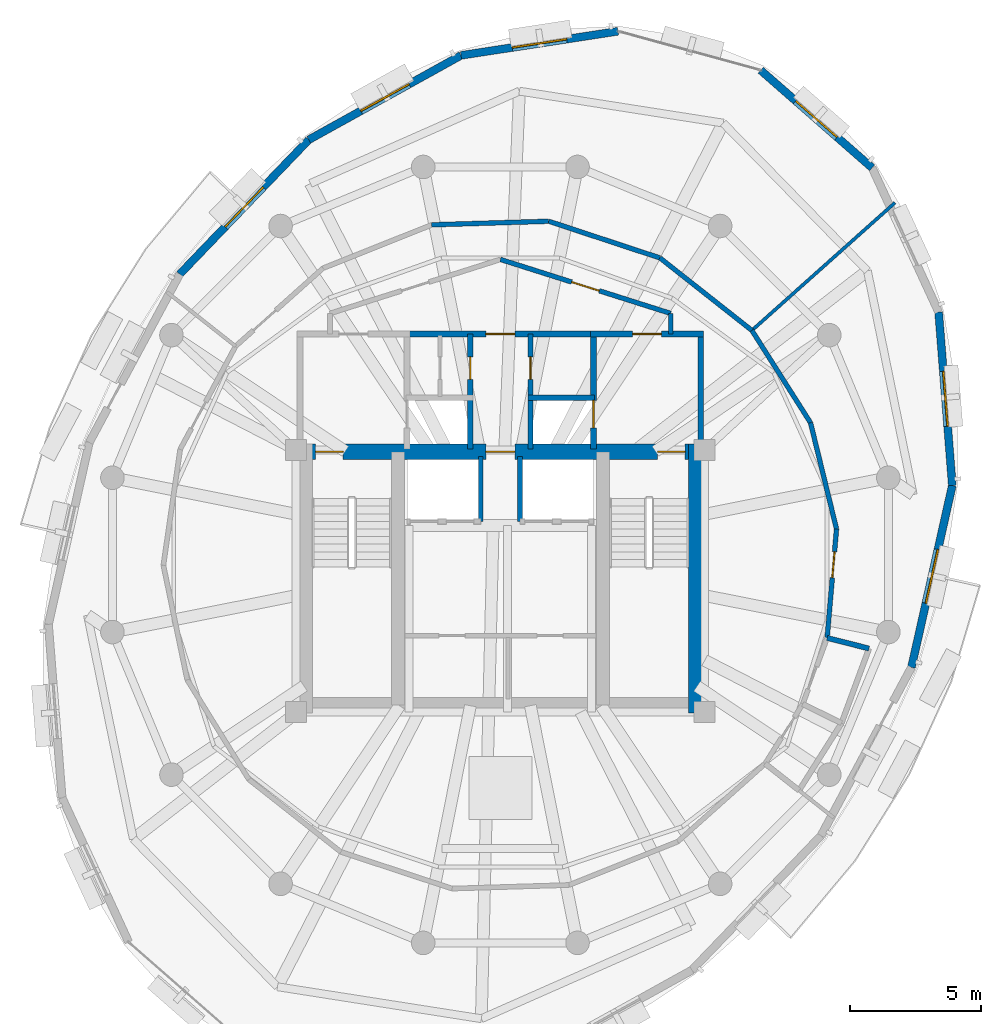
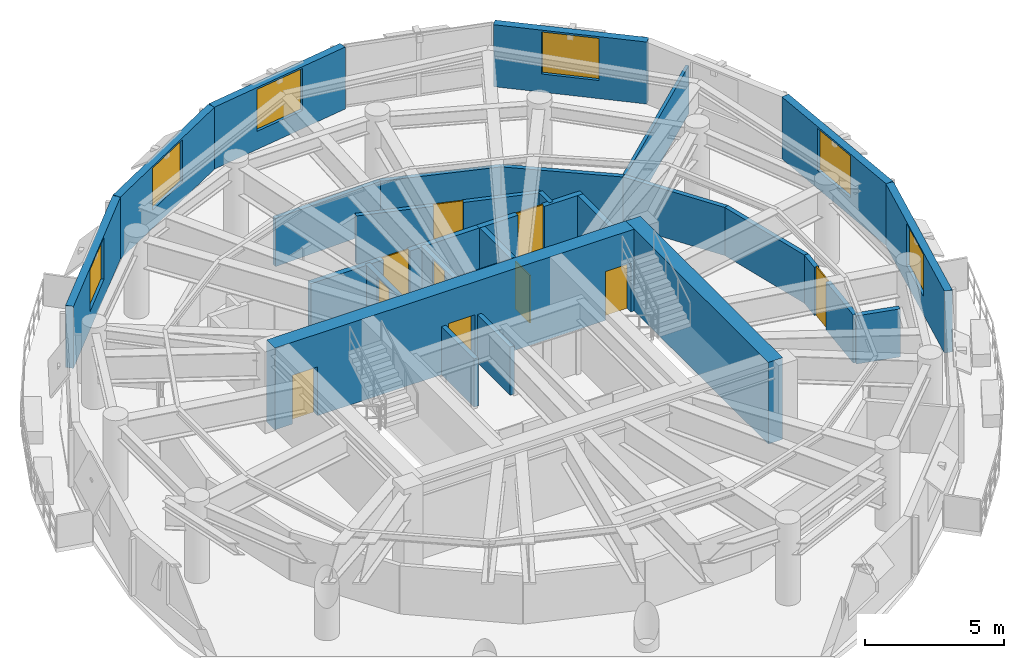
# One storey, part 8 of 11: 27 walls, 10 doors, 6 windows, 16 openings.
"""IFC4 building model written with IfcOpenShell, lengths in metres."""

import ifcopenshell
import ifcopenshell.guid

model = None  # the IFC model being written
_history = None  # IfcOwnerHistory: only IFC2X3 demands one
_inside = {}  # id of a spatial element -> (the spatial element, [elements in it])
_under = {}  # id of a project, library or spatial element -> (it, [spatial elements below it])
_declared = {}  # id of a project -> (the project, [libraries it declares])
_typed = {}  # id of a type object -> (the type object, [elements of that type])
_made_of = {}  # id of a material, layer set ... -> (it, [elements and type objects made of it])


def new_model(schema):
    """Start an empty IFC model of exactly this schema.

    Asked for "IFC4X3", IfcOpenShell would pick the latest addendum, in which some entities
    have other attributes; the version numbers below select the first issue.
    IFC2X3 requires an IfcOwnerHistory on every rooted entity: one is made here for all.
    """
    global model, _history
    if schema == "IFC4X3":
        model = ifcopenshell.file(schema_version=(4, 3, 0, 0))
    else:
        model = ifcopenshell.file(schema=schema)
    _inside.clear()
    _under.clear()
    _declared.clear()
    _typed.clear()
    _made_of.clear()
    _history = None
    if model.schema == "IFC2X3":
        org = make("IfcOrganization", Name="unknown")
        user = make(
            "IfcPersonAndOrganization",
            ThePerson=make("IfcPerson", FamilyName="unknown"),
            TheOrganization=org,
        )
        app = make(
            "IfcApplication",
            ApplicationDeveloper=org,
            Version="unknown",
            ApplicationFullName="unknown",
            ApplicationIdentifier="unknown",
        )
        _history = make(
            "IfcOwnerHistory",
            OwningUser=user,
            OwningApplication=app,
            ChangeAction="ADDED",
            CreationDate=0,
        )
    return model


def make(cls, **values):
    """One entity of the class cls with the attributes given. An attribute that is None is left unset."""
    return model.create_entity(
        cls, **{name: value for name, value in values.items() if value is not None}
    )


def rooted(cls, **values):
    """An entity with a GlobalId (a new one), such as an element, a storey or a relation."""
    return make(cls, GlobalId=ifcopenshell.guid.new(), OwnerHistory=_history, **values)


def si_unit(unit_type, name, prefix=None):
    """IfcSIUnit, for example si_unit("LENGTHUNIT", "METRE", prefix="MILLI")."""
    return make("IfcSIUnit", UnitType=unit_type, Prefix=prefix, Name=name)


def assignment(units):
    """IfcUnitAssignment: the units of a project."""
    return None if units is None else make("IfcUnitAssignment", Units=units)


def point(xyz):
    """IfcCartesianPoint."""
    return None if xyz is None else make("IfcCartesianPoint", Coordinates=xyz)


def direction(xyz):
    """IfcDirection."""
    return None if xyz is None else make("IfcDirection", DirectionRatios=xyz)


def frame(location, z_axis=None, x_axis=None):
    """IfcAxis2Placement3D, a coordinate frame: its origin and axes. An axis left out is left unset."""
    return make(
        "IfcAxis2Placement3D",
        Location=point(location),
        Axis=direction(z_axis),
        RefDirection=direction(x_axis),
    )


def frame_2d(location, x_axis=None):
    """IfcAxis2Placement2D, a coordinate frame in the plane: its origin and x axis."""
    return make(
        "IfcAxis2Placement2D", Location=point(location), RefDirection=direction(x_axis)
    )


def origin():
    """The frame at (0, 0, 0) with its axes left unset."""
    return frame((0.0, 0.0, 0.0))


def place(relative_to, where):
    """IfcLocalPlacement: puts the frame where relative to a parent placement (None: the world)."""
    return make(
        "IfcLocalPlacement", PlacementRelTo=relative_to, RelativePlacement=where
    )


def context(
    kind, dimensions, precision=None, world=None, true_north=None, identifier=None
):
    """IfcGeometricRepresentationContext, for example the 3D "Model" context."""
    return make(
        "IfcGeometricRepresentationContext",
        ContextIdentifier=identifier,
        ContextType=kind,
        CoordinateSpaceDimension=dimensions,
        Precision=precision,
        WorldCoordinateSystem=world,
        TrueNorth=true_north,
    )


def subcontext(parent, identifier, kind, view, scale=None):
    """IfcGeometricRepresentationSubContext, for example "Body" below "Model"."""
    return make(
        "IfcGeometricRepresentationSubContext",
        ContextIdentifier=identifier,
        ContextType=kind,
        ParentContext=parent,
        TargetScale=scale,
        TargetView=view,
    )


def project(units=None, contexts=None):
    """IfcProject with its units and contexts."""
    return rooted(
        "IfcProject",
        Name="project",
        RepresentationContexts=contexts,
        UnitsInContext=assignment(units),
    )


def spatial(cls, under=None, at=None, **own):
    """A site, building, storey or space (cls), placed at a placement, below another one or the project."""
    s = rooted(cls, ObjectPlacement=at, **own)
    if under is not None:
        _under.setdefault(under.id(), (under, []))[1].append(s)
    return s


def profile(cls, at=None, kind="AREA", **sizes):
    """A parametric profile (cls). Its sizes go by their IFC names, for example OverallWidth=200.0."""
    return make(cls, ProfileType=kind, Position=at, **sizes)


def rectangle(**sizes):
    """IfcRectangleProfileDef."""
    return profile("IfcRectangleProfileDef", **sizes)


def extrude(swept, where, along, depth):
    """IfcExtrudedAreaSolid: the profile swept, set in the frame where, extruded along a direction by depth."""
    return make(
        "IfcExtrudedAreaSolid",
        SweptArea=swept,
        Position=where,
        ExtrudedDirection=direction(along),
        Depth=depth,
    )


def shape(context_of_items, identifier, shape_type, items):
    """IfcShapeRepresentation: the items that make up one representation, for example the "Body"."""
    return make(
        "IfcShapeRepresentation",
        ContextOfItems=context_of_items,
        RepresentationIdentifier=identifier,
        RepresentationType=shape_type,
        Items=items,
    )


def material(Name=None, Category=None):
    """IfcMaterial."""
    return make("IfcMaterial", Name=Name, Category=Category)


def layer(
    of_material, thickness, ventilated=None, Name=None, Category=None, Priority=None
):
    """IfcMaterialLayer: one layer of a wall or slab, of a material (None: an air gap)."""
    return make(
        "IfcMaterialLayer",
        Material=of_material,
        LayerThickness=thickness,
        IsVentilated=ventilated,
        Name=Name,
        Category=Category,
        Priority=Priority,
    )


def layer_set(layers, Name=None):
    """IfcMaterialLayerSet."""
    return make("IfcMaterialLayerSet", MaterialLayers=layers, LayerSetName=Name)


def made_of(thing, what):
    """Note that an element or type object is made of a material, layer set ...; save() writes the relation."""
    if what is not None:
        _made_of.setdefault(what.id(), (what, []))[1].append(thing)
    return thing


def type_object(cls, material=None, **own):
    """A type object (cls), such as IfcWallType, which elements share."""
    return made_of(rooted(cls, **own), material)


def element(
    cls,
    number,
    at=None,
    inside=None,
    cuts=None,
    type_object=None,
    material=None,
    context=None,
    identifier="Body",
    shape_type=None,
    held_by="IfcProductDefinitionShape",
    body=None,
    shapes=None,
    **own,
):
    """One element of the class cls, such as IfcWall. Its Tag is "e" and its number.

    at: its placement. inside: the storey or other place that contains it. cuts: it is an
    opening in that element (IfcRelVoidsElement). A single representation is given by context,
    identifier, shape_type and body (its items); several are given by shapes. held_by: the class
    of the entity that holds the representations. save() writes the other relations.
    """
    e = rooted(cls, Tag="e%d" % number, ObjectPlacement=at, **own)
    if body is not None:
        shapes = [shape(context, identifier, shape_type, body)]
    if shapes is not None:
        e.Representation = make(held_by, Representations=shapes)
    if inside is not None:
        _inside.setdefault(inside.id(), (inside, []))[1].append(e)
    if cuts is not None:
        rooted(
            "IfcRelVoidsElement", RelatingBuildingElement=cuts, RelatedOpeningElement=e
        )
    if type_object is not None:
        _typed.setdefault(type_object.id(), (type_object, []))[1].append(e)
    return made_of(e, material)


def fill(opening, filler):
    """IfcRelFillsElement: the door or window that sits in an opening."""
    return rooted(
        "IfcRelFillsElement",
        RelatingOpeningElement=opening,
        RelatedBuildingElement=filler,
    )


def aggregate(whole, parts):
    """IfcRelAggregates: a whole, such as a stair, and the parts it consists of."""
    return rooted("IfcRelAggregates", RelatingObject=whole, RelatedObjects=parts)


def save(model, path):
    """Write the relations noted so far, then the file.

    IfcRelAggregates (storeys below a building ...), IfcRelContainedInSpatialStructure (elements
    in a storey), IfcRelDefinesByType, IfcRelAssociatesMaterial and IfcRelDeclares: one each for
    every whole, place, type object, material and project.
    """
    for whole, parts in _under.values():
        aggregate(whole, parts)
    for where, things in _inside.values():
        rooted(
            "IfcRelContainedInSpatialStructure",
            RelatedElements=things,
            RelatingStructure=where,
        )
    for kind, things in _typed.values():
        rooted("IfcRelDefinesByType", RelatedObjects=things, RelatingType=kind)
    for what, things in _made_of.values():
        rooted("IfcRelAssociatesMaterial", RelatedObjects=things, RelatingMaterial=what)
    for by, libraries in _declared.values():
        rooted("IfcRelDeclares", RelatingContext=by, RelatedDefinitions=libraries)
    model.write(path)


model = new_model("IFC4")

# Units and contexts
model_context = context("Model", 3, precision=1e-05, world=origin(), true_north=direction((0.0, 1.0)))
body_context = subcontext(model_context, "Body", "Model", "MODEL_VIEW")
ifc_project = project(units=[si_unit("LENGTHUNIT", "METRE"), si_unit("AREAUNIT", "SQUARE_METRE"), si_unit("VOLUMEUNIT", "CUBIC_METRE"), si_unit("PLANEANGLEUNIT", "RADIAN"), si_unit("MASSUNIT", "GRAM", prefix="KILO"), si_unit("THERMODYNAMICTEMPERATUREUNIT", "KELVIN"), si_unit("POWERUNIT", "WATT")], contexts=[model_context])

# Site, building, storey
site_placement = place(None, origin())
site = spatial("IfcSite", under=ifc_project, at=site_placement, CompositionType="ELEMENT")
building_placement = place(site_placement, origin())
building = spatial("IfcBuilding", under=site, at=building_placement, Name="Ocrelia Relay Tower", CompositionType="ELEMENT")
storey_placement = place(building_placement, frame((0.0, 0.0, 284.39990234375)))
storey = spatial("IfcBuildingStorey", under=building, at=storey_placement, Name="L71", CompositionType="ELEMENT", Elevation=284.39990234375)

# Wall, openings, doors
ifc_material_1 = material(Name="Concrete C50/60", Category="concrete")
ifc_layer_1 = layer(ifc_material_1, 0.60009765625, Name="Concrete C50/60")
ifc_layer_set_1 = layer_set([ifc_layer_1], Name="Concrete C50/60")
wall_type_1 = type_object("IfcWallType", Name="CW-CORE-600B", PredefinedType="SHEAR", material=ifc_layer_set_1)
wall_1_placement = place(storey_placement, frame((26.221923828125, 29.93798828125, 0.0), z_axis=(0.0, 0.0, 1.0), x_axis=(1.0, 0.0, 0.0)))
wall_1 = element("IfcWall", 1, at=wall_1_placement, inside=storey, type_object=wall_type_1, Name="L71 Core Shear Wall N", PredefinedType="SHEAR", context=body_context, shape_type="SweptSolid", body=[
    extrude(rectangle(XDim=15.566162109375, YDim=0.60009765625, at=frame_2d((7.783203125, 0.0))), origin(), (0.0, 0.0, 1.0), 3.60009765625),
])
opening_1_placement = place(wall_1_placement, frame((0.72802734375, 0.0, 0.0)))
opening_1 = element("IfcOpeningElement", 2, at=opening_1_placement, cuts=wall_1, Name="Opening D-FD90", PredefinedType="OPENING", context=body_context, shape_type="SweptSolid", body=[
    extrude(rectangle(XDim=1.050048828125, YDim=2.14990234375, at=frame_2d((0.52490234375, 1.074951171875))), frame((0.0, 0.31005859375, 0.0), z_axis=(0.0, -1.0, 0.0), x_axis=(1.0, 0.0, 0.0)), (0.0, 0.0, 1.0), 0.6201171875),
])
opening_2_placement = place(wall_1_placement, frame((13.778076171875, 0.0, 0.0)))
opening_2 = element("IfcOpeningElement", 3, at=opening_2_placement, cuts=wall_1, Name="Opening D-FD90", PredefinedType="OPENING", context=body_context, shape_type="SweptSolid", body=[
    extrude(rectangle(XDim=1.050048828125, YDim=2.14990234375, at=frame_2d((0.52490234375, 1.074951171875))), frame((0.0, 0.31005859375, 0.0), z_axis=(0.0, -1.0, 0.0), x_axis=(1.0, 0.0, 0.0)), (0.0, 0.0, 1.0), 0.6201171875),
])
opening_3_placement = place(wall_1_placement, frame((7.22802734375, 0.0, 0.0)))
opening_3 = element("IfcOpeningElement", 4, at=opening_3_placement, cuts=wall_1, Name="Opening D-FD60", PredefinedType="OPENING", context=body_context, shape_type="SweptSolid", body=[
    extrude(rectangle(XDim=1.10009765625, YDim=2.14990234375, at=frame_2d((0.550048828125, 1.074951171875))), frame((0.0, 0.31005859375, 0.0), z_axis=(0.0, -1.0, 0.0), x_axis=(1.0, 0.0, 0.0)), (0.0, 0.0, 1.0), 0.6201171875),
])
ifc_material_2 = material(Name="Timber-core 60-min acoustic fire door", Category="wood")
door_type_1 = type_object("IfcDoorType", Name="DR-LOBBY-FD60-1100", OperationType="NOTDEFINED", PredefinedType="DOOR", material=ifc_material_2)
door_1_placement = place(opening_3_placement, origin())
door_1 = element("IfcDoor", 5, at=door_1_placement, inside=storey, type_object=door_type_1, Name="L71 Core Lift Lobby North Fire Door", OperationType="SINGLE_SWING_LEFT", OverallHeight=2.14990234375, OverallWidth=1.10009765625, PredefinedType="DOOR", context=body_context, shape_type="SweptSolid", body=[
    extrude(rectangle(XDim=1.10009765625, YDim=2.14990234375, at=frame_2d((0.550048828125, 1.074951171875))), frame((0.0, 0.02490234375, 0.0), z_axis=(0.0, -1.0, 0.0), x_axis=(1.0, 0.0, 0.0)), (0.0, 0.0, 1.0), 0.050048828125),
])
fill(opening_3, door_1)
ifc_material_3 = material(Name="Steel S355 90-min fire door", Category="steel")
door_type_2 = type_object("IfcDoorType", Name="DR-STAIR-FD90-1050", OperationType="NOTDEFINED", PredefinedType="DOOR", material=ifc_material_3)
door_2_placement = place(opening_1_placement, origin())
door_2 = element("IfcDoor", 6, at=door_2_placement, inside=storey, type_object=door_type_2, Name="L71 Stair ST1 Fire Door", OperationType="SINGLE_SWING_LEFT", OverallHeight=2.14990234375, OverallWidth=1.050048828125, PredefinedType="DOOR", context=body_context, shape_type="SweptSolid", body=[
    extrude(rectangle(XDim=1.050048828125, YDim=2.14990234375, at=frame_2d((0.52490234375, 1.074951171875))), frame((0.0, 0.02490234375, 0.0), z_axis=(0.0, -1.0, 0.0), x_axis=(1.0, 0.0, 0.0)), (0.0, 0.0, 1.0), 0.050048828125),
])
fill(opening_1, door_2)
door_3_placement = place(opening_2_placement, origin())
door_3 = element("IfcDoor", 7, at=door_3_placement, inside=storey, type_object=door_type_2, Name="L71 Stair ST2 Fire Door", OperationType="SINGLE_SWING_RIGHT", OverallHeight=2.14990234375, OverallWidth=1.050048828125, PredefinedType="DOOR", context=body_context, shape_type="SweptSolid", body=[
    extrude(rectangle(XDim=1.050048828125, YDim=2.14990234375, at=frame_2d((0.52490234375, 1.074951171875))), frame((0.0, 0.02490234375, 0.0), z_axis=(0.0, -1.0, 0.0), x_axis=(1.0, 0.0, 0.0)), (0.0, 0.0, 1.0), 0.050048828125),
])
fill(opening_2, door_3)

# Walls
wall_2_placement = place(storey_placement, frame((41.488037109375, 19.9619140625, 0.0), z_axis=(0.0, 0.0, 1.0), x_axis=(0.0, 1.0, 0.0)))
element("IfcWall", 8, at=wall_2_placement, inside=storey, type_object=wall_type_1, Name="L71 Core Shear Wall E", PredefinedType="SHEAR", context=body_context, shape_type="SweptSolid", body=[
    extrude(rectangle(XDim=10.276123046875, YDim=0.60009765625, at=frame_2d((5.13818359375, 0.0))), origin(), (0.0, 0.0, 1.0), 3.60009765625),
])
ifc_material_4 = material(Name="Gypsum Fireboard Partition EI60", Category="gypsum")
ifc_layer_2 = layer(ifc_material_4, 0.179931640625, Name="Gypsum Fireboard Partition EI60")
ifc_layer_set_2 = layer_set([ifc_layer_2], Name="Gypsum Fireboard Partition EI60")
wall_type_2 = type_object("IfcWallType", Name="W-CORR-EI60-180", PredefinedType="PARTITIONING", material=ifc_layer_set_2)
wall_3_placement = place(storey_placement, frame((40.5, 35.218994140625, 0.0), z_axis=(0.0, 0.0, 1.0), x_axis=(0.0, -1.0, 0.0)))
element("IfcWall", 9, at=wall_3_placement, inside=storey, type_object=wall_type_2, Name="L71 Smoke Lobby East Return", PredefinedType="PARTITIONING", context=body_context, shape_type="SweptSolid", body=[
    extrude(rectangle(XDim=0.7890625, YDim=0.179931640625, at=frame_2d((0.39453125, 0.0))), origin(), (0.0, 0.0, 1.0), 2.1201171875),
])

# Wall, opening, door
wall_4_placement = place(storey_placement, frame((34.0, 37.280029296875, 0.0), z_axis=(0.0, 0.0, 1.0), x_axis=(0.953228121756, -0.302251795518, 0.0)))
wall_4 = element("IfcWall", 10, at=wall_4_placement, inside=storey, type_object=wall_type_2, Name="L71 North Smoke Lobby E Screen Wall", PredefinedType="PARTITIONING", context=body_context, shape_type="SweptSolid", body=[
    extrude(rectangle(XDim=6.81884765625, YDim=0.179931640625, at=frame_2d((3.409423828125, 0.0))), origin(), (0.0, 0.0, 1.0), 2.1201171875),
])
opening_4_placement = place(wall_4_placement, frame((2.859619140625, 0.0, 0.0)))
opening_4 = element("IfcOpeningElement", 11, at=opening_4_placement, cuts=wall_4, Name="Opening D-FD60", PredefinedType="OPENING", context=body_context, shape_type="SweptSolid", body=[
    extrude(rectangle(XDim=1.10009765625, YDim=2.14990234375, at=frame_2d((0.550048828125, 1.074951171875))), frame((0.0, 0.10009765625, 0.0), z_axis=(0.0, -1.0, 0.0), x_axis=(1.0, 0.0, 0.0)), (0.0, 0.0, 1.0), 0.199951171875),
])
door_4_placement = place(opening_4_placement, origin())
door_4 = element("IfcDoor", 12, at=door_4_placement, inside=storey, type_object=door_type_1, Name="L71 North Smoke Lobby E Fire Door", OperationType="SINGLE_SWING_LEFT", OverallHeight=2.14990234375, OverallWidth=1.10009765625, PredefinedType="DOOR", context=body_context, shape_type="SweptSolid", body=[
    extrude(rectangle(XDim=1.10009765625, YDim=2.14990234375, at=frame_2d((0.550048828125, 1.074951171875))), frame((0.0, 0.02490234375, 0.0), z_axis=(0.0, -1.0, 0.0), x_axis=(1.0, 0.0, 0.0)), (0.0, 0.0, 1.0), 0.050048828125),
])
fill(opening_4, door_4)

wall_5_placement = place(storey_placement, frame((46.47412109375, 22.83203125, 0.0), z_axis=(0.0, 0.0, 1.0), x_axis=(0.085678152112, 0.99632286647, 0.0)))
wall_5 = element("IfcWall", 13, at=wall_5_placement, inside=storey, type_object=wall_type_2, Name="L71 Executive Boardroom Corridor Partition 1", PredefinedType="PARTITIONING", context=body_context, shape_type="SweptSolid", body=[
    extrude(rectangle(XDim=4.174560546875, YDim=0.179931640625, at=frame_2d((2.08740234375, 0.0))), origin(), (0.0, 0.0, 1.0), 2.1201171875),
])
opening_5_placement = place(wall_5_placement, frame((2.305908203125, 0.0, 0.0)))
opening_5 = element("IfcOpeningElement", 14, at=opening_5_placement, cuts=wall_5, Name="Opening D-RM100", PredefinedType="OPENING", context=body_context, shape_type="SweptSolid", body=[
    extrude(rectangle(XDim=1.0, YDim=2.14990234375, at=frame_2d((0.5, 1.074951171875))), frame((0.0, 0.10009765625, 0.0), z_axis=(0.0, -1.0, 0.0), x_axis=(1.0, 0.0, 0.0)), (0.0, 0.0, 1.0), 0.199951171875),
])
ifc_material_5 = material(Name="Acoustic oak veneer fire door", Category="wood")
door_type_3 = type_object("IfcDoorType", Name="DR-ROOM-FD60-1000", OperationType="NOTDEFINED", PredefinedType="DOOR", material=ifc_material_5)
door_5_placement = place(opening_5_placement, origin())
door_5 = element("IfcDoor", 15, at=door_5_placement, inside=storey, type_object=door_type_3, Name="L71 Executive Boardroom Entrance Door", OperationType="SINGLE_SWING_RIGHT", OverallHeight=2.14990234375, OverallWidth=1.0, PredefinedType="DOOR", context=body_context, shape_type="SweptSolid", body=[
    extrude(rectangle(XDim=1.0, YDim=2.14990234375, at=frame_2d((0.5, 1.074951171875))), frame((0.0, 0.02490234375, 0.0), z_axis=(0.0, -1.0, 0.0), x_axis=(1.0, 0.0, 0.0)), (0.0, 0.0, 1.0), 0.050048828125),
])
fill(opening_5, door_5)

# Walls
for number, where, z_axis, x_axis, name in (
    (16, (46.831787109375, 26.9912109375, 0.0), (0.0, 0.0, 1.0), (-0.237688555134, 0.971341418224, 0.0), "L71 Executive Boardroom Corridor Partition 2"),
    (17, (45.839599609375, 31.0458984375, 0.0), (0.0, 0.0, 1.0), (-0.53607297366, 0.844171645408, 0.0), "L71 Executive Boardroom Corridor Partition 3"),
):
    element("IfcWall", number, at=place(storey_placement, frame(where, z_axis=z_axis, x_axis=x_axis)), inside=storey, type_object=wall_type_2, Name=name, PredefinedType="PARTITIONING", context=body_context, shape_type="SweptSolid", body=[
        extrude(rectangle(XDim=4.17431640625, YDim=0.179931640625, at=frame_2d((2.087158203125, 0.0))), origin(), (0.0, 0.0, 1.0), 2.1201171875),
    ])
wall_6_placement = place(storey_placement, frame((43.601806640625, 34.56982421875, 0.0), z_axis=(0.0, 0.0, 1.0), x_axis=(-0.785308997731, 0.61910401233, 0.0)))
element("IfcWall", 18, at=wall_6_placement, inside=storey, type_object=wall_type_2, Name="L71 Presidential Conference Hall Corridor Partition 1", PredefinedType="PARTITIONING", context=body_context, shape_type="SweptSolid", body=[
    extrude(rectangle(XDim=4.469970703125, YDim=0.179931640625, at=frame_2d((2.23486328125, 0.0))), origin(), (0.0, 0.0, 1.0), 2.1201171875),
])
for number, where, z_axis, x_axis, name in (
    (19, (40.091552734375, 37.337158203125, 0.0), (0.0, 0.0, 1.0), (-0.94970518159, 0.313145442345, 0.0), "L71 Presidential Conference Hall Corridor Partition 2"),
    (20, (35.8466796875, 38.73681640625, 0.0), (0.0, 0.0, 1.0), (-0.999533732573, -0.030533873791, 0.0), "L71 Presidential Conference Hall Corridor Partition 3"),
):
    element("IfcWall", number, at=place(storey_placement, frame(where, z_axis=z_axis, x_axis=x_axis)), inside=storey, type_object=wall_type_2, Name=name, PredefinedType="PARTITIONING", context=body_context, shape_type="SweptSolid", body=[
        extrude(rectangle(XDim=4.4697265625, YDim=0.179931640625, at=frame_2d((2.23486328125, 0.0))), origin(), (0.0, 0.0, 1.0), 2.1201171875),
    ])

# Wall, opening, window
ifc_material_6 = material(Name="Precast concrete C40/50 with oxide terracotta", Category="masonry")
ifc_layer_3 = layer(ifc_material_6, 0.300048828125, Name="Precast concrete C40/50 with oxide terracotta")
ifc_layer_set_3 = layer_set([ifc_layer_3], Name="Precast concrete C40/50 with oxide terracotta")
wall_type_3 = type_object("IfcWallType", Name="W-EXT-TERR-300", PredefinedType="SOLIDWALL", material=ifc_layer_set_3)
wall_7_placement = place(storey_placement, frame((38.489501953125, 45.989501953125, 0.0), z_axis=(0.0, 0.0, 1.0), x_axis=(-0.988405197886, -0.151839272891, 0.0)))
wall_7 = element("IfcWall", 21, at=wall_7_placement, inside=storey, type_object=wall_type_3, Name="L71 Oxide Terracotta Facade Wall 02", PredefinedType="SOLIDWALL", context=body_context, shape_type="SweptSolid", body=[
    extrude(rectangle(XDim=6.061767578125, YDim=0.300048828125, at=frame_2d((3.03076171875, 0.0))), origin(), (0.0, 0.0, 1.0), 2.72998046875),
])
opening_6_placement = place(wall_7_placement, frame((1.98095703125, 0.0, 0.800048828125)))
opening_6 = element("IfcOpeningElement", 22, at=opening_6_placement, cuts=wall_7, Name="Opening W-07", PredefinedType="OPENING", context=body_context, shape_type="SweptSolid", body=[
    extrude(rectangle(XDim=2.10009765625, YDim=1.85009765625, at=frame_2d((1.050048828125, 0.925048828125))), frame((0.0, 0.16015625, 0.0), z_axis=(0.0, -1.0, 0.0), x_axis=(1.0, 0.0, 0.0)), (0.0, 0.0, 1.0), 0.320068359375),
])
ifc_material_7 = material(Name="Clear double-glazed low-E glass", Category="glass")
window_type = type_object("IfcWindowType", Name="WIN-Z4-2100x2200", PartitioningType="DOUBLE_PANEL_VERTICAL", PredefinedType="WINDOW", material=ifc_material_7)
window_1_placement = place(opening_6_placement, origin())
window_1 = element("IfcWindow", 23, at=window_1_placement, inside=storey, type_object=window_type, Name="L71 Facade Module Window 02", OverallHeight=1.85009765625, OverallWidth=2.10009765625, PartitioningType="SINGLE_PANEL", PredefinedType="WINDOW", context=body_context, shape_type="SweptSolid", body=[
    extrude(rectangle(XDim=2.10009765625, YDim=1.85009765625, at=frame_2d((1.050048828125, 0.925048828125))), frame((0.0, 0.030029296875, 0.0), z_axis=(0.0, -1.0, 0.0), x_axis=(1.0, 0.0, 0.0)), (0.0, 0.0, 1.0), 0.06005859375),
])
fill(opening_6, window_1)

wall_8_placement = place(storey_placement, frame((32.498046875, 45.069091796875, 0.0), z_axis=(0.0, 0.0, 1.0), x_axis=(-0.874659525507, -0.484737779052, 0.0)))
wall_8 = element("IfcWall", 24, at=wall_8_placement, inside=storey, type_object=wall_type_3, Name="L71 Oxide Terracotta Facade Wall 03", PredefinedType="SOLIDWALL", context=body_context, shape_type="SweptSolid", body=[
    extrude(rectangle(XDim=6.643310546875, YDim=0.300048828125, at=frame_2d((3.32177734375, 0.0))), origin(), (0.0, 0.0, 1.0), 2.72998046875),
])
opening_7_placement = place(wall_8_placement, frame((2.27197265625, 0.0, 0.800048828125)))
opening_7 = element("IfcOpeningElement", 25, at=opening_7_placement, cuts=wall_8, Name="Opening W-07", PredefinedType="OPENING", context=body_context, shape_type="SweptSolid", body=[
    extrude(rectangle(XDim=2.10009765625, YDim=1.85009765625, at=frame_2d((1.050048828125, 0.925048828125))), frame((0.0, 0.16015625, 0.0), z_axis=(0.0, -1.0, 0.0), x_axis=(1.0, 0.0, 0.0)), (0.0, 0.0, 1.0), 0.320068359375),
])
window_2_placement = place(opening_7_placement, origin())
window_2 = element("IfcWindow", 26, at=window_2_placement, inside=storey, type_object=window_type, Name="L71 Facade Module Window 03", OverallHeight=1.85009765625, OverallWidth=2.10009765625, PartitioningType="SINGLE_PANEL", PredefinedType="WINDOW", context=body_context, shape_type="SweptSolid", body=[
    extrude(rectangle(XDim=2.10009765625, YDim=1.85009765625, at=frame_2d((1.050048828125, 0.925048828125))), frame((0.0, 0.030029296875, 0.0), z_axis=(0.0, -1.0, 0.0), x_axis=(1.0, 0.0, 0.0)), (0.0, 0.0, 1.0), 0.06005859375),
])
fill(opening_7, window_2)

wall_9_placement = place(storey_placement, frame((26.6875, 41.848876953125, 0.0), z_axis=(0.0, 0.0, 1.0), x_axis=(-0.692653952564, -0.721270061765, 0.0)))
wall_9 = element("IfcWall", 27, at=wall_9_placement, inside=storey, type_object=wall_type_3, Name="L71 Oxide Terracotta Facade Wall 04", PredefinedType="SOLIDWALL", context=body_context, shape_type="SweptSolid", body=[
    extrude(rectangle(XDim=7.115234375, YDim=0.300048828125, at=frame_2d((3.5576171875, 0.0))), origin(), (0.0, 0.0, 1.0), 2.72998046875),
])
opening_8_placement = place(wall_9_placement, frame((2.508056640625, 0.0, 0.800048828125)))
opening_8 = element("IfcOpeningElement", 28, at=opening_8_placement, cuts=wall_9, Name="Opening W-07", PredefinedType="OPENING", context=body_context, shape_type="SweptSolid", body=[
    extrude(rectangle(XDim=2.10009765625, YDim=1.85009765625, at=frame_2d((1.050048828125, 0.925048828125))), frame((0.0, 0.16015625, 0.0), z_axis=(0.0, -1.0, 0.0), x_axis=(1.0, 0.0, 0.0)), (0.0, 0.0, 1.0), 0.320068359375),
])
window_3_placement = place(opening_8_placement, origin())
window_3 = element("IfcWindow", 29, at=window_3_placement, inside=storey, type_object=window_type, Name="L71 Facade Module Window 04", OverallHeight=1.85009765625, OverallWidth=2.10009765625, PartitioningType="SINGLE_PANEL", PredefinedType="WINDOW", context=body_context, shape_type="SweptSolid", body=[
    extrude(rectangle(XDim=2.10009765625, YDim=1.85009765625, at=frame_2d((1.050048828125, 0.925048828125))), frame((0.0, 0.030029296875, 0.0), z_axis=(0.0, -1.0, 0.0), x_axis=(1.0, 0.0, 0.0)), (0.0, 0.0, 1.0), 0.06005859375),
])
fill(opening_8, window_3)

wall_10_placement = place(storey_placement, frame((49.69287109375, 21.70751953125, 0.0), z_axis=(0.0, 0.0, 1.0), x_axis=(0.219149670667, 0.975691253341, 0.0)))
wall_10 = element("IfcWall", 30, at=wall_10_placement, inside=storey, type_object=wall_type_3, Name="L71 Oxide Terracotta Facade Wall 15", PredefinedType="SOLIDWALL", context=body_context, shape_type="SweptSolid", body=[
    extrude(rectangle(XDim=7.115234375, YDim=0.300048828125, at=frame_2d((3.5576171875, 0.0))), origin(), (0.0, 0.0, 1.0), 2.72998046875),
])
opening_9_placement = place(wall_10_placement, frame((2.508056640625, 0.0, 0.800048828125)))
opening_9 = element("IfcOpeningElement", 31, at=opening_9_placement, cuts=wall_10, Name="Opening W-07", PredefinedType="OPENING", context=body_context, shape_type="SweptSolid", body=[
    extrude(rectangle(XDim=2.10009765625, YDim=1.85009765625, at=frame_2d((1.050048828125, 0.925048828125))), frame((0.0, 0.16015625, 0.0), z_axis=(0.0, -1.0, 0.0), x_axis=(1.0, 0.0, 0.0)), (0.0, 0.0, 1.0), 0.320068359375),
])
window_4_placement = place(opening_9_placement, origin())
window_4 = element("IfcWindow", 32, at=window_4_placement, inside=storey, type_object=window_type, Name="L71 Facade Module Window 15", OverallHeight=1.85009765625, OverallWidth=2.10009765625, PartitioningType="SINGLE_PANEL", PredefinedType="WINDOW", context=body_context, shape_type="SweptSolid", body=[
    extrude(rectangle(XDim=2.10009765625, YDim=1.85009765625, at=frame_2d((1.050048828125, 0.925048828125))), frame((0.0, 0.030029296875, 0.0), z_axis=(0.0, -1.0, 0.0), x_axis=(1.0, 0.0, 0.0)), (0.0, 0.0, 1.0), 0.06005859375),
])
fill(opening_9, window_4)

wall_11_placement = place(storey_placement, frame((51.252197265625, 28.64990234375, 0.0), z_axis=(0.0, 0.0, 1.0), x_axis=(-0.07853716748, 0.996911186277, 0.0)))
wall_11 = element("IfcWall", 33, at=wall_11_placement, inside=storey, type_object=wall_type_3, Name="L71 Oxide Terracotta Facade Wall 16", PredefinedType="SOLIDWALL", context=body_context, shape_type="SweptSolid", body=[
    extrude(rectangle(XDim=6.64306640625, YDim=0.300048828125, at=frame_2d((3.321533203125, 0.0))), origin(), (0.0, 0.0, 1.0), 2.72998046875),
])
opening_10_placement = place(wall_11_placement, frame((2.27197265625, 0.0, 0.800048828125)))
opening_10 = element("IfcOpeningElement", 34, at=opening_10_placement, cuts=wall_11, Name="Opening W-07", PredefinedType="OPENING", context=body_context, shape_type="SweptSolid", body=[
    extrude(rectangle(XDim=2.10009765625, YDim=1.85009765625, at=frame_2d((1.050048828125, 0.925048828125))), frame((0.0, 0.16015625, 0.0), z_axis=(0.0, -1.0, 0.0), x_axis=(1.0, 0.0, 0.0)), (0.0, 0.0, 1.0), 0.320068359375),
])
window_5_placement = place(opening_10_placement, origin())
window_5 = element("IfcWindow", 35, at=window_5_placement, inside=storey, type_object=window_type, Name="L71 Facade Module Window 16", OverallHeight=1.85009765625, OverallWidth=2.10009765625, PartitioningType="SINGLE_PANEL", PredefinedType="WINDOW", context=body_context, shape_type="SweptSolid", body=[
    extrude(rectangle(XDim=2.10009765625, YDim=1.85009765625, at=frame_2d((1.050048828125, 0.925048828125))), frame((0.0, 0.030029296875, 0.0), z_axis=(0.0, -1.0, 0.0), x_axis=(1.0, 0.0, 0.0)), (0.0, 0.0, 1.0), 0.06005859375),
])
fill(opening_10, window_5)

wall_12_placement = place(storey_placement, frame((48.19091796875, 40.77685546875, 0.0), z_axis=(0.0, 0.0, 1.0), x_axis=(-0.752391976867, 0.658715654244, 0.0)))
wall_12 = element("IfcWall", 36, at=wall_12_placement, inside=storey, type_object=wall_type_3, Name="L71 Oxide Terracotta Facade Wall 18", PredefinedType="SOLIDWALL", context=body_context, shape_type="SweptSolid", body=[
    extrude(rectangle(XDim=5.650390625, YDim=0.300048828125, at=frame_2d((2.8251953125, 0.0))), origin(), (0.0, 0.0, 1.0), 2.72998046875),
])
opening_11_placement = place(wall_12_placement, frame((1.77490234375, 0.0, 0.800048828125)))
opening_11 = element("IfcOpeningElement", 37, at=opening_11_placement, cuts=wall_12, Name="Opening W-07", PredefinedType="OPENING", context=body_context, shape_type="SweptSolid", body=[
    extrude(rectangle(XDim=2.10009765625, YDim=1.85009765625, at=frame_2d((1.050048828125, 0.925048828125))), frame((0.0, 0.16015625, 0.0), z_axis=(0.0, -1.0, 0.0), x_axis=(1.0, 0.0, 0.0)), (0.0, 0.0, 1.0), 0.320068359375),
])
window_6_placement = place(opening_11_placement, origin())
window_6 = element("IfcWindow", 38, at=window_6_placement, inside=storey, type_object=window_type, Name="L71 Facade Module Window 18", OverallHeight=1.85009765625, OverallWidth=2.10009765625, PartitioningType="SINGLE_PANEL", PredefinedType="WINDOW", context=body_context, shape_type="SweptSolid", body=[
    extrude(rectangle(XDim=2.10009765625, YDim=1.85009765625, at=frame_2d((1.050048828125, 0.925048828125))), frame((0.0, 0.030029296875, 0.0), z_axis=(0.0, -1.0, 0.0), x_axis=(1.0, 0.0, 0.0)), (0.0, 0.0, 1.0), 0.06005859375),
])
fill(opening_11, window_6)

# Wall, opening, door
ifc_layer_4 = layer(ifc_material_1, 0.219970703125, Name="Concrete C50/60")
ifc_layer_set_4 = layer_set([ifc_layer_4], Name="Concrete C50/60")
wall_type_4 = type_object("IfcWallType", Name="W-FFL-EI120-220", PredefinedType="SOLIDWALL", material=ifc_layer_set_4)
wall_13_placement = place(storey_placement, frame((37.56005859375, 30.050048828125, 0.0), z_axis=(0.0, 0.0, 1.0), x_axis=(0.0, 1.0, 0.0)))
wall_13 = element("IfcWall", 39, at=wall_13_placement, inside=storey, type_object=wall_type_4, Name="L71 E Fire Service Lift Lobby West Wall", PredefinedType="SOLIDWALL", context=body_context, shape_type="SweptSolid", body=[
    extrude(rectangle(XDim=4.3798828125, YDim=0.219970703125, at=frame_2d((2.18994140625, 0.0))), origin(), (0.0, 0.0, 1.0), 2.1201171875),
])
opening_12_placement = place(wall_13_placement, frame((0.800048828125, 0.0, 0.0)))
opening_12 = element("IfcOpeningElement", 40, at=opening_12_placement, cuts=wall_13, Name="Opening LD-FFL2", PredefinedType="OPENING", context=body_context, shape_type="SweptSolid", body=[
    extrude(rectangle(XDim=1.050048828125, YDim=2.10009765625, at=frame_2d((0.52490234375, 1.050048828125))), frame((0.0, 0.1201171875, 0.0), z_axis=(0.0, -1.0, 0.0), x_axis=(1.0, 0.0, 0.0)), (0.0, 0.0, 1.0), 0.239990234375),
])
ifc_material_8 = material(Name="Brushed stainless steel S355 lift landing door", Category="steel")
door_type_4 = type_object("IfcDoorType", Name="DR-LIFT-LAND-1050", OperationType="DOUBLE_DOOR_SLIDING", PredefinedType="USERDEFINED", material=ifc_material_8)
door_6_placement = place(opening_12_placement, origin())
door_6 = element("IfcDoor", 41, at=door_6_placement, inside=storey, type_object=door_type_4, Name="L71 Firefighting Lift FFL2 Sliding Landing Door", ObjectType="LANDING DOOR", OperationType="DOUBLE_DOOR_SLIDING", OverallHeight=2.10009765625, OverallWidth=1.050048828125, PredefinedType="USERDEFINED", context=body_context, shape_type="SweptSolid", body=[
    extrude(rectangle(XDim=1.050048828125, YDim=2.10009765625, at=frame_2d((0.52490234375, 1.050048828125))), frame((0.0, 0.02490234375, 0.0), z_axis=(0.0, -1.0, 0.0), x_axis=(1.0, 0.0, 0.0)), (0.0, 0.0, 1.0), 0.050048828125),
])
fill(opening_12, door_6)

# Wall
wall_14_placement = place(storey_placement, frame((41.64990234375, 30.050048828125, 0.0), z_axis=(0.0, 0.0, 1.0), x_axis=(0.0, 1.0, 0.0)))
element("IfcWall", 42, at=wall_14_placement, inside=storey, type_object=wall_type_4, Name="L71 E Fire Service Lift Lobby East Wall", PredefinedType="SOLIDWALL", context=body_context, shape_type="SweptSolid", body=[
    extrude(rectangle(XDim=4.3798828125, YDim=0.219970703125, at=frame_2d((2.18994140625, 0.0))), origin(), (0.0, 0.0, 1.0), 2.1201171875),
])

# Wall, opening, door
wall_15_placement = place(storey_placement, frame((37.449951171875, 34.429931640625, 0.0), z_axis=(0.0, 0.0, 1.0), x_axis=(1.0, 0.0, 0.0)))
wall_15 = element("IfcWall", 43, at=wall_15_placement, inside=storey, type_object=wall_type_4, Name="L71 E Fire Service Lift Lobby North Wall", PredefinedType="SOLIDWALL", context=body_context, shape_type="SweptSolid", body=[
    extrude(rectangle(XDim=4.31005859375, YDim=0.219970703125, at=frame_2d((2.155029296875, 0.0))), origin(), (0.0, 0.0, 1.0), 2.1201171875),
])
opening_13_placement = place(wall_15_placement, frame((1.60009765625, 0.0, 0.0)))
opening_13 = element("IfcOpeningElement", 44, at=opening_13_placement, cuts=wall_15, Name="Opening D-FD60", PredefinedType="OPENING", context=body_context, shape_type="SweptSolid", body=[
    extrude(rectangle(XDim=1.10009765625, YDim=2.14990234375, at=frame_2d((0.550048828125, 1.074951171875))), frame((0.0, 0.1201171875, 0.0), z_axis=(0.0, -1.0, 0.0), x_axis=(1.0, 0.0, 0.0)), (0.0, 0.0, 1.0), 0.239990234375),
])
door_7_placement = place(opening_13_placement, origin())
door_7 = element("IfcDoor", 45, at=door_7_placement, inside=storey, type_object=door_type_1, Name="L71 E Fire Service Lift Lobby Exit Door", OperationType="SINGLE_SWING_RIGHT", OverallHeight=2.14990234375, OverallWidth=1.10009765625, PredefinedType="DOOR", context=body_context, shape_type="SweptSolid", body=[
    extrude(rectangle(XDim=1.10009765625, YDim=2.14990234375, at=frame_2d((0.550048828125, 1.074951171875))), frame((0.0, 0.02490234375, 0.0), z_axis=(0.0, -1.0, 0.0), x_axis=(1.0, 0.0, 0.0)), (0.0, 0.0, 1.0), 0.050048828125),
])
fill(opening_13, door_7)

wall_16_placement = place(storey_placement, frame((30.43994140625, 34.429931640625, 0.0), z_axis=(0.0, 0.0, 1.0), x_axis=(1.0, 0.0, 0.0)))
wall_16 = element("IfcWall", 46, at=wall_16_placement, inside=storey, type_object=wall_type_4, Name="L71 North Core Vestibule Wall", PredefinedType="SOLIDWALL", context=body_context, shape_type="SweptSolid", body=[
    extrude(rectangle(XDim=7.1201171875, YDim=0.219970703125, at=frame_2d((3.56005859375, 0.0))), origin(), (0.0, 0.0, 1.0), 2.1201171875),
])
opening_14_placement = place(wall_16_placement, frame((3.010009765625, 0.0, 0.0)))
opening_14 = element("IfcOpeningElement", 47, at=opening_14_placement, cuts=wall_16, Name="Opening D-FD60", PredefinedType="OPENING", context=body_context, shape_type="SweptSolid", body=[
    extrude(rectangle(XDim=1.10009765625, YDim=2.14990234375, at=frame_2d((0.550048828125, 1.074951171875))), frame((0.0, 0.1201171875, 0.0), z_axis=(0.0, -1.0, 0.0), x_axis=(1.0, 0.0, 0.0)), (0.0, 0.0, 1.0), 0.239990234375),
])
door_8_placement = place(opening_14_placement, origin())
door_8 = element("IfcDoor", 48, at=door_8_placement, inside=storey, type_object=door_type_1, Name="L71 North Core Vestibule Corridor Door", OperationType="SINGLE_SWING_RIGHT", OverallHeight=2.14990234375, OverallWidth=1.10009765625, PredefinedType="DOOR", context=body_context, shape_type="SweptSolid", body=[
    extrude(rectangle(XDim=1.10009765625, YDim=2.14990234375, at=frame_2d((0.550048828125, 1.074951171875))), frame((0.0, 0.02490234375, 0.0), z_axis=(0.0, -1.0, 0.0), x_axis=(1.0, 0.0, 0.0)), (0.0, 0.0, 1.0), 0.050048828125),
])
fill(opening_14, door_8)

# Walls
ifc_material_9 = material(Name="Acoustic Fireboard Partition EI60", Category="gypsum")
ifc_layer_5 = layer(ifc_material_9, 0.125, Name="Acoustic Fireboard Partition EI60")
ifc_layer_set_5 = layer_set([ifc_layer_5], Name="Acoustic Fireboard Partition EI60")
wall_type_5 = type_object("IfcWallType", Name="W-PART-125", PredefinedType="PARTITIONING", material=ifc_layer_set_5)
wall_17_placement = place(storey_placement, frame((43.601806640625, 34.56982421875, 0.0), z_axis=(0.0, 0.0, 1.0), x_axis=(0.746036503143, 0.665905050272, 0.0)))
element("IfcWall", 49, at=wall_17_placement, inside=storey, type_object=wall_type_5, Name="L71 Executive Boardroom Radial Partition", PredefinedType="PARTITIONING", context=body_context, shape_type="SweptSolid", body=[
    extrude(rectangle(XDim=7.318359375, YDim=0.125, at=frame_2d((3.6591796875, 0.0))), origin(), (0.0, 0.0, 1.0), 2.1201171875),
])
ifc_material_10 = material(Name="Moisture-Resistant Fireboard Chase Wall EI60", Category="gypsum")
ifc_layer_6 = layer(ifc_material_10, 0.199951171875, Name="Moisture-Resistant Fireboard Chase Wall EI60")
ifc_layer_set_6 = layer_set([ifc_layer_6], Name="Moisture-Resistant Fireboard Chase Wall EI60")
wall_type_6 = type_object("IfcWallType", Name="W-PLUMB-200", PredefinedType="PLUMBINGWALL", material=ifc_layer_set_6)
wall_18_placement = place(storey_placement, frame((46.47412109375, 22.83203125, 0.0), z_axis=(0.0, 0.0, 1.0), x_axis=(0.969212834974, -0.246224451511, 0.0)))
element("IfcWall", 50, at=wall_18_placement, inside=storey, type_object=wall_type_6, Name="L71 Accessible Toilet Plumbing Radial Wall", PredefinedType="PLUMBINGWALL", context=body_context, shape_type="SweptSolid", body=[
    extrude(rectangle(XDim=1.64990234375, YDim=0.199951171875, at=frame_2d((0.824951171875, 0.0))), origin(), (0.0, 0.0, 1.0), 2.1201171875),
])

# Wall, opening, door
ifc_layer_7 = layer(ifc_material_1, 0.199951171875, Name="Concrete C50/60")
ifc_layer_set_7 = layer_set([ifc_layer_7], Name="Concrete C50/60")
wall_type_7 = type_object("IfcWallType", Name="W-SHAFT-EI120-200", PredefinedType="SOLIDWALL", material=ifc_layer_set_7)
wall_19_placement = place(storey_placement, frame((32.85009765625, 30.050048828125, 0.0), z_axis=(0.0, 0.0, 1.0), x_axis=(0.0, 1.0, 0.0)))
wall_19 = element("IfcWall", 51, at=wall_19_placement, inside=storey, type_object=wall_type_7, Name="L71 FFL1 and Service Vestibule Wall", PredefinedType="SOLIDWALL", context=body_context, shape_type="SweptSolid", body=[
    extrude(rectangle(XDim=4.3798828125, YDim=0.199951171875, at=frame_2d((2.18994140625, 0.0))), origin(), (0.0, 0.0, 1.0), 2.1201171875),
])
opening_15_placement = place(wall_19_placement, frame((2.64990234375, 0.0, 0.0)))
opening_15 = element("IfcOpeningElement", 52, at=opening_15_placement, cuts=wall_19, Name="Opening D-RS86", PredefinedType="OPENING", context=body_context, shape_type="SweptSolid", body=[
    extrude(rectangle(XDim=0.860107421875, YDim=2.050048828125, at=frame_2d((0.43017578125, 1.02490234375))), frame((0.0, 0.10986328125, 0.0), z_axis=(0.0, -1.0, 0.0), x_axis=(1.0, 0.0, 0.0)), (0.0, 0.0, 1.0), 0.219970703125),
])
ifc_material_11 = material(Name="Steel S355 riser access fire door", Category="steel")
door_type_5 = type_object("IfcDoorType", Name="DR-RISER-TRAP-860", OperationType="NOTDEFINED", PredefinedType="TRAPDOOR", material=ifc_material_11)
door_9_placement = place(opening_15_placement, origin())
door_9 = element("IfcDoor", 53, at=door_9_placement, inside=storey, type_object=door_type_5, Name="L71 Core Support Room W Door", OperationType="SINGLE_SWING_LEFT", OverallHeight=2.050048828125, OverallWidth=0.860107421875, PredefinedType="TRAPDOOR", context=body_context, shape_type="SweptSolid", body=[
    extrude(rectangle(XDim=0.860107421875, YDim=2.050048828125, at=frame_2d((0.43017578125, 1.02490234375))), frame((0.0, 0.02490234375, 0.0), z_axis=(0.0, -1.0, 0.0), x_axis=(1.0, 0.0, 0.0)), (0.0, 0.0, 1.0), 0.050048828125),
])
fill(opening_15, door_9)

# Wall
wall_20_placement = place(storey_placement, frame((35.050048828125, 32.0, 0.0), z_axis=(0.0, 0.0, 1.0), x_axis=(1.0, 0.0, 0.0)))
element("IfcWall", 54, at=wall_20_placement, inside=storey, type_object=wall_type_7, Name="L71 FFL2 Hoistway North Wall", PredefinedType="SOLIDWALL", context=body_context, shape_type="SweptSolid", body=[
    extrude(rectangle(XDim=2.550048828125, YDim=0.199951171875, at=frame_2d((1.27490234375, 0.0))), origin(), (0.0, 0.0, 1.0), 2.1201171875),
])

# Wall, opening, door
wall_21_placement = place(storey_placement, frame((35.14990234375, 30.050048828125, 0.0), z_axis=(0.0, 0.0, 1.0), x_axis=(0.0, 1.0, 0.0)))
wall_21 = element("IfcWall", 55, at=wall_21_placement, inside=storey, type_object=wall_type_7, Name="L71 FFL2 and Service Vestibule Wall", PredefinedType="SOLIDWALL", context=body_context, shape_type="SweptSolid", body=[
    extrude(rectangle(XDim=4.3798828125, YDim=0.199951171875, at=frame_2d((2.18994140625, 0.0))), origin(), (0.0, 0.0, 1.0), 2.1201171875),
])
opening_16_placement = place(wall_21_placement, frame((2.64990234375, 0.0, 0.0)))
opening_16 = element("IfcOpeningElement", 56, at=opening_16_placement, cuts=wall_21, Name="Opening D-RS86", PredefinedType="OPENING", context=body_context, shape_type="SweptSolid", body=[
    extrude(rectangle(XDim=0.860107421875, YDim=2.050048828125, at=frame_2d((0.43017578125, 1.02490234375))), frame((0.0, 0.10986328125, 0.0), z_axis=(0.0, -1.0, 0.0), x_axis=(1.0, 0.0, 0.0)), (0.0, 0.0, 1.0), 0.219970703125),
])
door_10_placement = place(opening_16_placement, origin())
door_10 = element("IfcDoor", 57, at=door_10_placement, inside=storey, type_object=door_type_5, Name="L71 Core Support Room E Door", OperationType="SINGLE_SWING_LEFT", OverallHeight=2.050048828125, OverallWidth=0.860107421875, PredefinedType="TRAPDOOR", context=body_context, shape_type="SweptSolid", body=[
    extrude(rectangle(XDim=0.860107421875, YDim=2.050048828125, at=frame_2d((0.43017578125, 1.02490234375))), frame((0.0, 0.02490234375, 0.0), z_axis=(0.0, -1.0, 0.0), x_axis=(1.0, 0.0, 0.0)), (0.0, 0.0, 1.0), 0.050048828125),
])
fill(opening_16, door_10)

# Walls
for number, where, z_axis, x_axis, name in (
    (58, (33.25, 27.280029296875, 0.0), (0.0, 0.0, 1.0), (0.0, 1.0, 0.0), "L71 High-Rise Lift Throat Wall W"),
    (59, (34.75, 27.280029296875, 0.0), (0.0, 0.0, 1.0), (0.0, 1.0, 0.0), "L71 High-Rise Lift Throat Wall E"),
):
    element("IfcWall", number, at=place(storey_placement, frame(where, z_axis=z_axis, x_axis=x_axis)), inside=storey, type_object=wall_type_7, Name=name, PredefinedType="SOLIDWALL", context=body_context, shape_type="SweptSolid", body=[
        extrude(rectangle(XDim=2.469970703125, YDim=0.179931640625, at=frame_2d((1.23486328125, 0.0))), origin(), (0.0, 0.0, 1.0), 2.1201171875),
    ])

save(model, "model.ifc")
